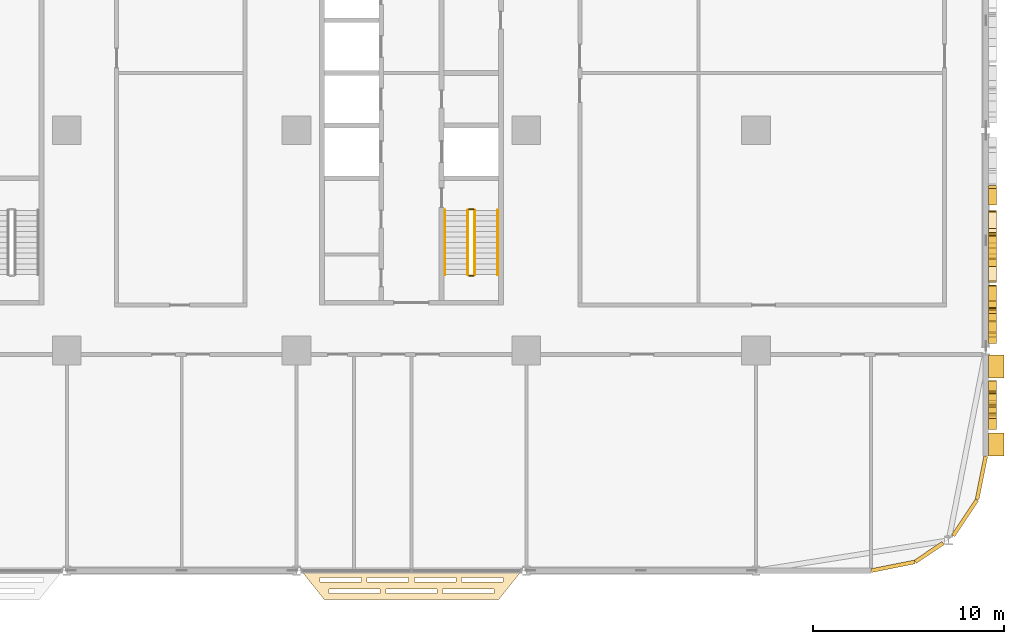
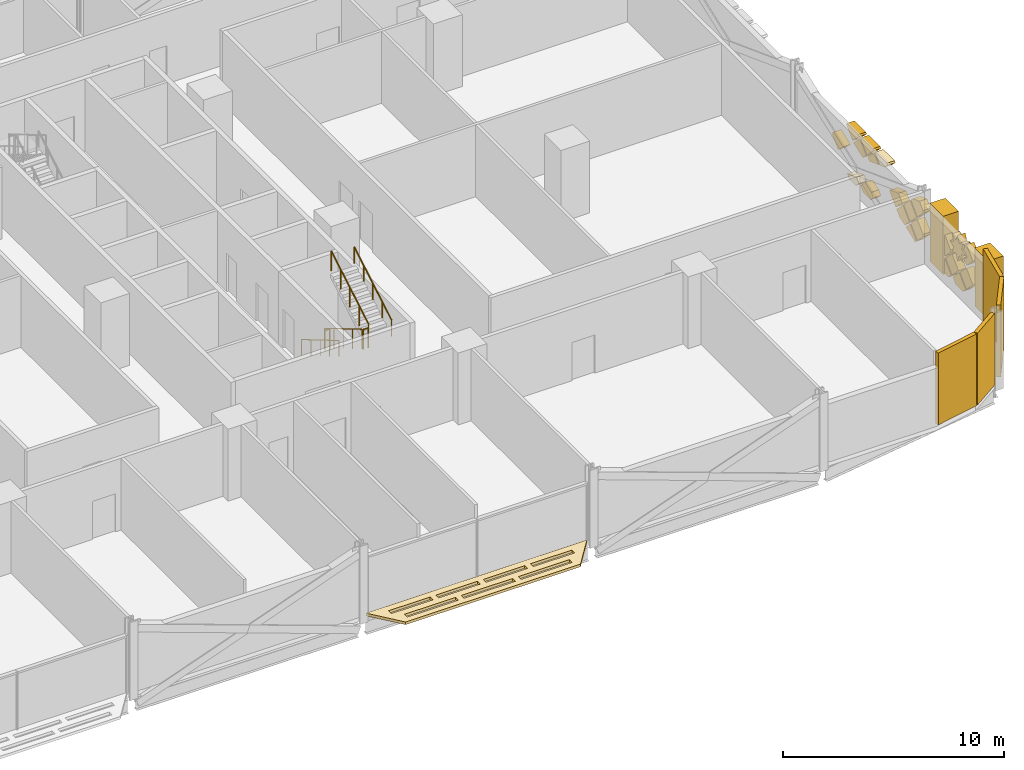
# One storey, part 29 of 30: 28 coverings, 6 railings.
"""IFC4 building model written with IfcOpenShell, lengths in metres."""

from ifc_helpers import new_model, si_unit, direction, frame, origin, origin_2d, place, context, subcontext, project, spatial, polyline, rectangle, circle, outline, extrude, material, layer, layer_set, type_object, element, save


model = new_model("IFC4")

# Units and contexts
model_context = context("Model", 3, precision=1e-05, world=origin(), true_north=direction((0.0, 1.0)))
body_context = subcontext(model_context, "Body", "Model", "MODEL_VIEW")
ifc_project = project(units=[si_unit("LENGTHUNIT", "METRE"), si_unit("AREAUNIT", "SQUARE_METRE"), si_unit("VOLUMEUNIT", "CUBIC_METRE"), si_unit("PLANEANGLEUNIT", "RADIAN"), si_unit("MASSUNIT", "GRAM", prefix="KILO")], contexts=[model_context])

# Site, building, storey
site_placement = place(None, origin())
site = spatial("IfcSite", under=ifc_project, at=site_placement, CompositionType="ELEMENT")
building_placement = place(site_placement, origin())
building = spatial("IfcBuilding", under=site, at=building_placement, Name="Mahtab Terrace Research Tower", CompositionType="ELEMENT")
storey_placement = place(building_placement, frame((0.0, 0.0, 50.300048828125)))
storey = spatial("IfcBuildingStorey", under=building, at=storey_placement, Name="L11", CompositionType="ELEMENT", Elevation=50.300048828125)

# Coverings
ifc_material_1 = material(Name="Black aluminium cladding panel", Category="aluminium")
ifc_layer_1 = layer(ifc_material_1, 0.199951171875)
ifc_layer_set_1 = layer_set([ifc_layer_1], Name="Black metal corner cladding 200")
covering_type_1 = type_object("IfcCoveringType", Name="Black metal corner cladding 200", PredefinedType="CLADDING", material=ifc_layer_set_1)
covering_1_placement = place(storey_placement, frame((49.14794921875, -22.771484375, 0.0), z_axis=(0.0, 0.0, 1.0), x_axis=(0.980760981187, 0.195212442692, 0.0)))
element("IfcCovering", 1, at=covering_1_placement, inside=storey, type_object=covering_type_1, Name="Corner cladding L11 31", PredefinedType="CLADDING", context=body_context, shape_type="SweptSolid", body=[
    extrude(rectangle(XDim=2.30126953125, YDim=0.199951171875, at=origin_2d()), origin(), (0.0, 0.0, 1.0), 3.9599609375),
])
covering_2_placement = place(storey_placement, frame((51.0380859375, -22.047607421875, 0.0), z_axis=(0.0, 0.0, 1.0), x_axis=(0.831655794326, 0.555291490808, 0.0)))
element("IfcCovering", 2, at=covering_2_placement, inside=storey, type_object=covering_type_1, Name="Corner cladding L11 32", PredefinedType="CLADDING", context=body_context, shape_type="SweptSolid", body=[
    extrude(rectangle(XDim=1.74462890625, YDim=0.199951171875, at=origin_2d()), origin(), (0.0, 0.0, 1.0), 3.9599609375),
])
covering_3_placement = place(storey_placement, frame((52.911376953125, -20.2421875, 0.0), z_axis=(0.0, 0.0, 1.0), x_axis=(0.555291490808, 0.831655794326, 0.0)))
element("IfcCovering", 3, at=covering_3_placement, inside=storey, type_object=covering_type_1, Name="Corner cladding L11 33", PredefinedType="CLADDING", context=body_context, shape_type="SweptSolid", body=[
    extrude(rectangle(XDim=2.235595703125, YDim=0.199951171875, at=origin_2d()), origin(), (0.0, 0.0, 1.0), 3.9599609375),
])
covering_4_placement = place(storey_placement, frame((53.771484375, -18.14794921875, 0.0), z_axis=(0.0, 0.0, 1.0), x_axis=(0.195212442692, 0.980760981187, 0.0)))
element("IfcCovering", 4, at=covering_4_placement, inside=storey, type_object=covering_type_1, Name="Corner cladding L11 34", PredefinedType="CLADDING", context=body_context, shape_type="SweptSolid", body=[
    extrude(rectangle(XDim=2.30126953125, YDim=0.199951171875, at=origin_2d()), origin(), (0.0, 0.0, 1.0), 3.9599609375),
])
ifc_material_2 = material(Name="Black anodised aluminium", Category="aluminium")
ifc_layer_2 = layer(ifc_material_2, 0.14990234375)
ifc_layer_set_2 = layer_set([ifc_layer_2], Name="Horizontal sunshade band")
covering_type_2 = type_object("IfcCoveringType", Name="Horizontal sunshade band", PredefinedType="CLADDING", material=ifc_layer_set_2)
covering_5_placement = place(storey_placement, frame((0.0, 0.0, -0.150146484375)))
element("IfcCovering", 5, at=covering_5_placement, inside=storey, type_object=covering_type_2, Name="Sunshade band L11 28", PredefinedType="CLADDING", context=body_context, shape_type="SweptSolid", body=[
    extrude(outline(polyline([(18.238037109375, -23.0), (29.761962890625, -23.0), (28.56201171875, -24.5), (19.43798828125, -24.5), (18.238037109375, -23.0)]), holes=[polyline([(19.218017578125, -23.35009765625), (21.384033203125, -23.35009765625), (21.384033203125, -23.60009765625), (19.218017578125, -23.60009765625), (19.218017578125, -23.35009765625)]), polyline([(21.68408203125, -23.35009765625), (23.85009765625, -23.35009765625), (23.85009765625, -23.60009765625), (21.68408203125, -23.60009765625), (21.68408203125, -23.35009765625)]), polyline([(24.14990234375, -23.35009765625), (26.31591796875, -23.35009765625), (26.31591796875, -23.60009765625), (24.14990234375, -23.60009765625), (24.14990234375, -23.35009765625)]), polyline([(26.615966796875, -23.35009765625), (28.781982421875, -23.35009765625), (28.781982421875, -23.60009765625), (26.615966796875, -23.60009765625), (26.615966796875, -23.35009765625)]), polyline([(19.697998046875, -23.949951171875), (22.365966796875, -23.949951171875), (22.365966796875, -24.199951171875), (19.697998046875, -24.199951171875), (19.697998046875, -23.949951171875)]), polyline([(22.666015625, -23.949951171875), (25.333984375, -23.949951171875), (25.333984375, -24.199951171875), (22.666015625, -24.199951171875), (22.666015625, -23.949951171875)]), polyline([(25.634033203125, -23.949951171875), (28.302001953125, -23.949951171875), (28.302001953125, -24.199951171875), (25.634033203125, -24.199951171875), (25.634033203125, -23.949951171875)])]), origin(), (0.0, 0.0, 1.0), 0.150146484375),
])
ifc_material_3 = material(Name="Bronze anodised aluminium", Category="aluminium")
ifc_layer_3 = layer(ifc_material_3, 0.39990234375)
ifc_layer_set_3 = layer_set([ifc_layer_3], Name="Mashrabiya relief panel 400")
covering_type_3 = type_object("IfcCoveringType", Name="Mashrabiya relief panel 400", PredefinedType="CLADDING", material=ifc_layer_set_3)
covering_6_placement = place(storey_placement, frame((54.14990234375, -14.10498046875, 2.600830078125), z_axis=(-1.0, 0.0, 0.0), x_axis=(0.0, 0.924784909208, 0.380490304346)))
element("IfcCovering", 6, at=covering_6_placement, inside=storey, type_object=covering_type_3, Name="Girih star panel L11 E35.1", PredefinedType="CLADDING", context=body_context, shape_type="SweptSolid", body=[
    extrude(outline(polyline([(0.0, 0.0), (0.3785719822676483, 0.0), (0.11224734785337949, 0.2687322986646593), (0.37970496369230244, 0.5355884707789882), (0.0018902966904386642, 0.5369560467454342), (0.0018902966904386642, 0.9155280290130825), (-0.2670677795399452, 0.6491105014581041), (-0.5339239516542741, 0.916568117297027), (-0.53529152762072, 0.5387534502951633), (-0.9138635098883683, 0.5387534502951632), (-0.64744598233339, 0.2697953740647794), (-0.9149035981723128, 0.0029392019504504985), (-0.5370889311704492, 0.0015716259840045654), (-0.5371818243111587, -0.3767745787179192), (-0.2682237480807748, -0.11035705116294083), (-0.0012746828257363951, -0.3780404445675883), (0.0, 0.0)])), origin(), (0.0, 0.0, -1.0), 0.39990234375),
])
covering_7_placement = place(storey_placement, frame((54.14990234375, -15.050048828125, 1.6298828125), z_axis=(-1.0, 0.0, 0.0), x_axis=(0.0, 0.707255598772, -0.706957932274)))
element("IfcCovering", 7, at=covering_7_placement, inside=storey, type_object=covering_type_3, Name="Mashrabiya lattice cell L11 E35.2", PredefinedType="CLADDING", context=body_context, shape_type="SweptSolid", body=[
    extrude(outline(polyline([(0.0, 0.0), (0.8201817362875763, 0.0), (0.8200090664636573, 0.8203543334390104), (-0.00017259715143413956, 0.8200090664636573), (0.0, 0.0)])), origin(), (0.0, 0.0, -1.0), 0.39990234375),
])
covering_8_placement = place(storey_placement, frame((54.14990234375, -15.050048828125, 1.77001953125), z_axis=(-1.0, 0.0, 0.0), x_axis=(0.0, -0.707106781187, 0.707106781187)))
element("IfcCovering", 8, at=covering_8_placement, inside=storey, type_object=covering_type_3, Name="Mashrabiya lattice cell L11 E35.3", PredefinedType="CLADDING", context=body_context, shape_type="SweptSolid", body=[
    extrude(outline(polyline([(0.0, 0.0), (0.8200090846279543, 0.0), (0.820181718119455, 0.820181718119455), (0.5783221965270836, 0.8203543516109556), (0.5358543576179305, 0.7847918523618275), (0.30055490870258283, 0.6865633956979735), (0.3979201979089337, 0.44763864346111276), (0.3923959261809137, 0.35717869391478685), (0.3421595801542327, 0.29692960538106977), (0.2663734773854597, 0.2750051519604908), (-0.00017263349150062335, 0.37478731004785026), (0.0, 0.0)])), origin(), (0.0, 0.0, -1.0), 0.39990234375),
])
covering_9_placement = place(storey_placement, frame((54.14990234375, -14.97998046875, 0.39990234375), z_axis=(-1.0, 0.0, 0.0), x_axis=(0.0, 0.707106781187, 0.707106781187)))
element("IfcCovering", 9, at=covering_9_placement, inside=storey, type_object=covering_type_3, Name="Mashrabiya lattice cell L11 E35.4", PredefinedType="CLADDING", context=body_context, shape_type="SweptSolid", body=[
    extrude(outline(polyline([(0.0, 0.0), (0.8203543516109556, 0.0), (0.820181718119455, 0.820181718119455), (0.44556704156310534, 0.820181718119455), (0.0, 0.37461467655634967), (0.0, 0.0)])), origin(), (0.0, 0.0, -1.0), 0.39990234375),
])
covering_10_placement = place(storey_placement, frame((54.14990234375, -13.169921875, 1.050048828125), z_axis=(-1.0, 0.0, 0.0), x_axis=(0.0, -0.707106781187, -0.707106781187)))
element("IfcCovering", 10, at=covering_10_placement, inside=storey, type_object=covering_type_3, Name="Mashrabiya lattice cell L11 E35.5", PredefinedType="CLADDING", context=body_context, shape_type="SweptSolid", body=[
    extrude(outline(polyline([(0.0, 0.0), (0.8203543516109556, 0.0), (0.8203543516109556, 0.8203543516109556), (0.0143285797945516, 0.820181718119455), (0.0001726334915005956, 0.8074068397484089), (0.0, 0.0)])), origin(), (0.0, 0.0, -1.0), 0.39990234375),
])
covering_11_placement = place(storey_placement, frame((54.14990234375, -13.679931640625, 0.39990234375), z_axis=(-1.0, 0.0, 0.0), x_axis=(0.0, 0.706957932274, 0.707255598772)))
element("IfcCovering", 11, at=covering_11_placement, inside=storey, type_object=covering_type_3, Name="Mashrabiya lattice cell L11 E35.6", PredefinedType="CLADDING", context=body_context, shape_type="SweptSolid", body=[
    extrude(outline(polyline([(0.0, 0.0), (0.8201817362875763, 0.0), (0.8201736696417619, 0.03832463426419619), (0.24172975951322367, 0.6165250915686062), (-7.884964602361544e-05, 0.374614668258134), (0.0, 0.0)])), origin(), (0.0, 0.0, -1.0), 0.39990234375),
])
covering_12_placement = place(storey_placement, frame((54.14990234375, -13.10009765625, 1.119873046875), z_axis=(-1.0, 0.0, 0.0), x_axis=(0.0, -0.70694980333, 0.707263724202)))
element("IfcCovering", 12, at=covering_12_placement, inside=storey, type_object=covering_type_3, Name="Mashrabiya lattice cell L11 E35.7", PredefinedType="CLADDING", context=body_context, shape_type="SweptSolid", body=[
    extrude(outline(polyline([(0.0, 0.0), (0.7777138983705116, 0.0), (0.8203731850463412, 0.08475357709506004), (0.8205364300309524, 0.8201722327695096), (0.7822117958620023, 0.8201807399025104), (8.50713300087555e-06, 0.038324634168950183), (0.0, 0.0)])), origin(), (0.0, 0.0, -1.0), 0.39990234375),
])
covering_13_placement = place(storey_placement, frame((54.14990234375, -10.612060546875, 1.6298828125), z_axis=(-1.0, 0.0, 0.0), x_axis=(0.0, 0.707255598772, -0.706957932274)))
element("IfcCovering", 13, at=covering_13_placement, inside=storey, type_object=covering_type_3, Name="Mashrabiya lattice cell L11 E36.1", PredefinedType="CLADDING", context=body_context, shape_type="SweptSolid", body=[
    extrude(outline(polyline([(0.0, 0.0), (0.8201817362875763, 0.0), (0.8200090664636573, 0.8203543334390104), (0.09184101544392964, 0.8202010671685369), (-0.0001532662704735177, 0.7281680510197277), (0.0, 0.0)])), origin(), (0.0, 0.0, -1.0), 0.39990234375),
])
covering_14_placement = place(storey_placement, frame((54.14990234375, -10.031982421875, 2.349853515625), z_axis=(-1.0, 0.0, 0.0), x_axis=(0.0, -0.707255598772, -0.706957932274)))
element("IfcCovering", 14, at=covering_14_placement, inside=storey, type_object=covering_type_3, Name="Mashrabiya lattice cell L11 E36.2", PredefinedType="CLADDING", context=body_context, shape_type="SweptSolid", body=[
    extrude(outline(polyline([(0.0, 0.0), (0.8201817362875763, 0.0), (0.8203350025580498, 0.7281680510197277), (0.7283407208436468, 0.8202010671685369), (0.2632661050429956, 0.8202989570055819), (5.15247917333983e-05, 0.24479428552536128), (0.0, 0.0)])), origin(), (0.0, 0.0, -1.0), 0.39990234375),
])
covering_15_placement = place(storey_placement, frame((54.14990234375, -10.5419921875, 0.39990234375), z_axis=(-1.0, 0.0, 0.0), x_axis=(0.0, 0.707106781187, 0.707106781187)))
element("IfcCovering", 15, at=covering_15_placement, inside=storey, type_object=covering_type_3, Name="Mashrabiya lattice cell L11 E36.3", PredefinedType="CLADDING", context=body_context, shape_type="SweptSolid", body=[
    extrude(outline(polyline([(0.0, 0.0), (0.8203543516109556, 0.0), (0.8203543516109556, 0.5641662502240327), (0.0, 0.1909326415996879), (0.0, 0.0)])), origin(), (0.0, 0.0, -1.0), 0.39990234375),
])
covering_16_placement = place(storey_placement, frame((54.14990234375, -9.9619140625, 2.280029296875), z_axis=(-1.0, 0.0, 0.0), x_axis=(0.0, 0.706957932274, -0.707255598772)))
element("IfcCovering", 16, at=covering_16_placement, inside=storey, type_object=covering_type_3, Name="Mashrabiya lattice cell L11 E36.4", PredefinedType="CLADDING", context=body_context, shape_type="SweptSolid", body=[
    extrude(outline(polyline([(0.0, 0.0), (0.8201817362875763, 0.0), (0.8205270032629295, 0.8201816636150915), (0.00017266982391900276, 0.8203543334390104), (0.0, 0.0)])), origin(), (0.0, 0.0, -1.0), 0.39990234375),
])
covering_17_placement = place(storey_placement, frame((54.14990234375, -9.89208984375, 1.050048828125), z_axis=(-1.0, 0.0, 0.0), x_axis=(0.0, 0.707255598772, 0.706957932274)))
element("IfcCovering", 17, at=covering_17_placement, inside=storey, type_object=covering_type_3, Name="Mashrabiya lattice cell L11 E36.5", PredefinedType="CLADDING", context=body_context, shape_type="SweptSolid", body=[
    extrude(outline(polyline([(0.0, 0.0), (0.8201817362875763, 0.0), (0.8205270032629295, 0.8201816636150915), (0.4611040819203327, 0.8202573156717833), (0.00012833960818220413, 0.6097414784736079), (0.0, 0.0)])), origin(), (0.0, 0.0, -1.0), 0.39990234375),
])
covering_18_placement = place(storey_placement, frame((54.14990234375, -8.08203125, 1.699951171875), z_axis=(-1.0, 0.0, 0.0), x_axis=(0.0, -0.707106781187, -0.707106781187)))
element("IfcCovering", 18, at=covering_18_placement, inside=storey, type_object=covering_type_3, Name="Mashrabiya lattice cell L11 E36.6", PredefinedType="CLADDING", context=body_context, shape_type="SweptSolid", body=[
    extrude(outline(polyline([(0.0, 0.0), (0.8203543516109556, 0.0), (0.820181718119455, 0.820181718119455), (0.3437132815777383, 0.820181718119455), (0.0, 0.06491019280423387), (0.0, 0.0)])), origin(), (0.0, 0.0, -1.0), 0.39990234375),
])
covering_19_placement = place(storey_placement, frame((54.14990234375, -7.94189453125, 3.0), z_axis=(-1.0, 0.0, 0.0), x_axis=(0.0, 0.707106781187, 0.707106781187)))
element("IfcCovering", 19, at=covering_19_placement, inside=storey, type_object=covering_type_3, Name="Mashrabiya lattice cell L11 E36.7", PredefinedType="CLADDING", context=body_context, shape_type="SweptSolid", body=[
    extrude(outline(polyline([(0.0, 0.0), (0.09598422127434582, 0.0), (0.8200090846279543, 0.7240248633536085), (0.820181718119455, 0.820181718119455), (0.1935221439721972, 0.8201817181194548), (-0.00017263349150062335, 0.3930864601469162), (0.0, 0.0)])), origin(), (0.0, 0.0, -1.0), 0.39990234375),
])
covering_20_placement = place(storey_placement, frame((54.14990234375, -6.7119140625, 2.929931640625), z_axis=(-1.0, 0.0, 0.0), x_axis=(0.0, 0.706957932274, -0.707255598772)))
element("IfcCovering", 20, at=covering_20_placement, inside=storey, type_object=covering_type_3, Name="Mashrabiya lattice cell L11 E36.8", PredefinedType="CLADDING", context=body_context, shape_type="SweptSolid", body=[
    extrude(outline(polyline([(0.0, 0.0), (0.8201817362875763, 0.0), (0.8202251944334953, 0.20646965126116512), (-5.0289359491528796e-05, 0.581256989343218), (0.0, 0.0)])), origin(), (0.0, 0.0, -1.0), 0.39990234375),
])
covering_21_placement = place(storey_placement, frame((54.14990234375, -6.64208984375, 0.39990234375), z_axis=(-1.0, 0.0, 0.0), x_axis=(0.0, 0.707106781187, 0.707106781187)))
element("IfcCovering", 21, at=covering_21_placement, inside=storey, type_object=covering_type_3, Name="Mashrabiya lattice cell L11 E36.9", PredefinedType="CLADDING", context=body_context, shape_type="SweptSolid", body=[
    extrude(outline(polyline([(0.0, 0.0), (0.27863045528200386, 0.0), (0.8203543516109555, 0.2461753588798869), (0.8203543516109556, 0.8203543516109556), (0.44556704156310534, 0.820181718119455), (0.00017263349150062335, 0.37478731004785026), (0.0, 0.0)])), origin(), (0.0, 0.0, -1.0), 0.39990234375),
])
covering_22_placement = place(storey_placement, frame((54.14990234375, -5.48193359375, 3.0), z_axis=(-1.0, 0.0, 0.0), x_axis=(0.0, -0.707106781187, -0.707106781187)))
element("IfcCovering", 22, at=covering_22_placement, inside=storey, type_object=covering_type_3, Name="Mashrabiya lattice cell L11 E36.10", PredefinedType="CLADDING", context=body_context, shape_type="SweptSolid", body=[
    extrude(outline(polyline([(0.0, 0.0), (0.8203543516109556, 0.0), (0.8203543516109556, 0.8203543516109556), (0.7241974968451091, 0.820181718119455), (0.0001726334915006164, 0.09615685476584643), (0.0, 0.0)])), origin(), (0.0, 0.0, -1.0), 0.39990234375),
])
covering_23_placement = place(storey_placement, frame((54.14990234375, -5.991943359375, 2.349853515625), z_axis=(-1.0, 0.0, 0.0), x_axis=(0.0, 0.706957932274, 0.707255598772)))
element("IfcCovering", 23, at=covering_23_placement, inside=storey, type_object=covering_type_3, Name="Mashrabiya lattice cell L11 E36.11", PredefinedType="CLADDING", context=body_context, shape_type="SweptSolid", body=[
    extrude(outline(polyline([(0.0, 0.0), (0.8201817362875763, 0.0), (0.8200090664636573, 0.8203543334390104), (-9.403819534983815e-05, 0.44677546610693586), (0.0, 0.0)])), origin(), (0.0, 0.0, -1.0), 0.39990234375),
])
covering_24_placement = place(storey_placement, frame((54.14990234375, -5.342041015625, 0.39990234375), z_axis=(-1.0, 0.0, 0.0), x_axis=(0.0, 0.706717940592, 0.707495408074)))
element("IfcCovering", 24, at=covering_24_placement, inside=storey, type_object=covering_type_3, Name="Mashrabiya lattice cell L11 E36.12", PredefinedType="CLADDING", context=body_context, shape_type="SweptSolid", body=[
    extrude(outline(polyline([(0.0, 0.0), (0.31402036849248416, 2.7755575615628914e-17), (0.6869754673968865, 0.8207321421350641), (0.44511607725855706, 0.8204265457861742), (-3.3406805841407206e-05, 0.3747873483179644), (0.0, 0.0)])), origin(), (0.0, 0.0, -1.0), 0.39990234375),
])
covering_25_placement = place(storey_placement, frame((54.14990234375, -4.181884765625, 3.0), z_axis=(-1.0, 0.0, 0.0), x_axis=(0.0, -0.707106781187, -0.707106781187)))
element("IfcCovering", 25, at=covering_25_placement, inside=storey, type_object=covering_type_3, Name="Mashrabiya lattice cell L11 E36.13", PredefinedType="CLADDING", context=body_context, shape_type="SweptSolid", body=[
    extrude(outline(polyline([(0.0, 0.0), (0.8203543516109556, 0.0), (0.8203543516109556, 0.8203543516109556), (0.7241974968451091, 0.820181718119455), (0.0001726334915006164, 0.09615685476584643), (0.0, 0.0)])), origin(), (0.0, 0.0, -1.0), 0.39990234375),
])
covering_26_placement = place(storey_placement, frame((54.14990234375, -3.89306640625, 1.551025390625), z_axis=(-1.0, 0.0, 0.0), x_axis=(0.0, 0.936540541173, 0.350559288481)))
element("IfcCovering", 26, at=covering_26_placement, inside=storey, type_object=covering_type_3, Name="Mashrabiya lattice cell L11 E36.14", PredefinedType="CLADDING", context=body_context, shape_type="SweptSolid", body=[
    extrude(outline(polyline([(0.0, 0.0), (0.9011827075507265, -5.551115123125783e-17), (0.9990369987717644, 0.2149356160846745), (0.2809281926081486, 0.54206054356088), (0.22389176280836892, 0.4917752034685902), (0.0, 0.0)])), origin(), (0.0, 0.0, -1.0), 0.39990234375),
])
ifc_material_4 = material(Name="Glazed ceramic tile cladding", Category="masonry")
ifc_layer_4 = layer(ifc_material_4, 0.800048828125)
ifc_layer_set_4 = layer_set([ifc_layer_4], Name="Pishtaq frame pier 800")
covering_type_4 = type_object("IfcCoveringType", Name="Pishtaq frame pier 800", PredefinedType="CLADDING", material=ifc_layer_set_4)
for number, where, z_axis, x_axis, name in (
    (27, (54.550048828125, -16.39990234375, 0.00048828125), (0.0, 0.0, 1.0), (0.0, 1.0, 0.0), "Pishtaq frame pier 35a"),
    (28, (54.550048828125, -12.337890625, 0.00048828125), (0.0, 0.0, 1.0), (0.0, 1.0, 0.0), "Pishtaq frame pier 35b"),
):
    element("IfcCovering", number, at=place(storey_placement, frame(where, z_axis=z_axis, x_axis=x_axis)), inside=storey, type_object=covering_type_4, Name=name, PredefinedType="CLADDING", context=body_context, shape_type="SweptSolid", body=[
        extrude(rectangle(XDim=1.199951171875, YDim=0.800048828125, at=origin_2d()), origin(), (0.0, 0.0, 1.0), 3.202880859375),
    ])

# Railings
ifc_material_5 = material(Name="Stainless steel AISI 304", Category="steel")
railing_type_1 = type_object("IfcRailingType", Name="Stair guard 1100", PredefinedType="GUARDRAIL", material=ifc_material_5)
railing_1_placement = place(storey_placement, frame((26.949951171875, -4.175048828125, 0.165283203125)))
element("IfcRailing", 29, at=railing_1_placement, inside=storey, type_object=railing_type_1, Name="L11 ST4 stair guard 1", PredefinedType="GUARDRAIL", context=body_context, shape_type="SweptSolid", body=[
    extrude(circle(Radius=0.02392578125, at=origin_2d()), frame((0.0, 0.0, 1.076171875), z_axis=(0.0, -0.861011212953, 0.508585972249), x_axis=(1.0, 0.0, 0.0)), (0.0, 0.0, 1.0), 3.90234375),
    extrude(circle(Radius=0.02099609375, at=origin_2d()), origin(), (0.0, 0.0, 1.0), 1.052001953125),
    extrude(circle(Radius=0.02099609375, at=origin_2d()), frame((0.0, -0.83984375, 0.49609375)), (0.0, 0.0, 1.0), 1.052001953125),
    extrude(circle(Radius=0.02099609375, at=origin_2d()), frame((0.0, -1.679931640625, 0.9921875)), (0.0, 0.0, 1.0), 1.052001953125),
    extrude(circle(Radius=0.02099609375, at=origin_2d()), frame((0.0, -2.52001953125, 1.488525390625)), (0.0, 0.0, 1.0), 1.052001953125),
    extrude(circle(Radius=0.02099609375, at=origin_2d()), frame((0.0, -3.35986328125, 1.984619140625)), (0.0, 0.0, 1.0), 1.052001953125),
])
railing_2_placement = place(storey_placement, frame((27.0, -7.5849609375, 2.14990234375)))
element("IfcRailing", 30, at=railing_2_placement, inside=storey, type_object=railing_type_1, Name="L11 ST4 stair guard 2", PredefinedType="GUARDRAIL", context=body_context, shape_type="SweptSolid", body=[
    extrude(circle(Radius=0.02392578125, at=origin_2d()), frame((0.0, 0.0, 1.076171875), z_axis=(1.0, 0.0, 0.0), x_axis=(0.0, 1.0, 0.0)), (0.0, 0.0, 1.0), 0.25),
    extrude(circle(Radius=0.02099609375, at=origin_2d()), origin(), (0.0, 0.0, 1.0), 1.052001953125),
    extrude(circle(Radius=0.02099609375, at=origin_2d()), frame((0.25, 0.0, 0.0)), (0.0, 0.0, 1.0), 1.052001953125),
])
railing_3_placement = place(storey_placement, frame((27.300048828125, -7.534912109375, 2.3154296875)))
element("IfcRailing", 31, at=railing_3_placement, inside=storey, type_object=railing_type_1, Name="L11 ST4 stair guard 3", PredefinedType="GUARDRAIL", context=body_context, shape_type="SweptSolid", body=[
    extrude(circle(Radius=0.02392578125, at=origin_2d()), frame((0.0, 0.0, 1.076171875), z_axis=(0.0, 0.861011212953, 0.508585972249), x_axis=(-1.0, 0.0, 0.0)), (0.0, 0.0, 1.0), 3.90234375),
    extrude(circle(Radius=0.02099609375, at=origin_2d()), origin(), (0.0, 0.0, 1.0), 1.052001953125),
    extrude(circle(Radius=0.02099609375, at=origin_2d()), frame((0.0, 0.83984375, 0.49609375)), (0.0, 0.0, 1.0), 1.052001953125),
    extrude(circle(Radius=0.02099609375, at=origin_2d()), frame((0.0, 1.679931640625, 0.9921875)), (0.0, 0.0, 1.0), 1.052001953125),
    extrude(circle(Radius=0.02099609375, at=origin_2d()), frame((0.0, 2.52001953125, 1.488525390625)), (0.0, 0.0, 1.0), 1.052001953125),
    extrude(circle(Radius=0.02099609375, at=origin_2d()), frame((0.0, 3.35986328125, 1.984619140625)), (0.0, 0.0, 1.0), 1.052001953125),
])
railing_4_placement = place(storey_placement, frame((27.0, -4.125, 0.0)))
element("IfcRailing", 32, at=railing_4_placement, inside=storey, type_object=railing_type_1, Name="L11 ST4 stair guard 4", PredefinedType="GUARDRAIL", context=body_context, shape_type="SweptSolid", body=[
    extrude(circle(Radius=0.02392578125, at=origin_2d()), frame((0.0, 0.0, 1.076171875), z_axis=(1.0, 0.0, 0.0), x_axis=(0.0, 1.0, 0.0)), (0.0, 0.0, 1.0), 0.25),
    extrude(circle(Radius=0.02099609375, at=origin_2d()), origin(), (0.0, 0.0, 1.0), 1.052001953125),
    extrude(circle(Radius=0.02099609375, at=origin_2d()), frame((0.25, 0.0, 0.0)), (0.0, 0.0, 1.0), 1.052001953125),
])
railing_type_2 = type_object("IfcRailingType", Name="Stair handrail 900", PredefinedType="HANDRAIL", material=ifc_material_5)
railing_5_placement = place(storey_placement, frame((25.75, -4.175048828125, 0.165283203125)))
element("IfcRailing", 33, at=railing_5_placement, inside=storey, type_object=railing_type_2, Name="L11 ST4 stair handrail 1", PredefinedType="HANDRAIL", context=body_context, shape_type="SweptSolid", body=[
    extrude(circle(Radius=0.02392578125, at=origin_2d()), frame((0.0, 0.0, 0.8759765625), z_axis=(0.0, -0.861011212953, 0.508585972249), x_axis=(1.0, 0.0, 0.0)), (0.0, 0.0, 1.0), 3.90234375),
    extrude(circle(Radius=0.02099609375, at=origin_2d()), origin(), (0.0, 0.0, 1.0), 0.851806640625),
    extrude(circle(Radius=0.02099609375, at=origin_2d()), frame((0.0, -0.83984375, 0.49609375)), (0.0, 0.0, 1.0), 0.851806640625),
    extrude(circle(Radius=0.02099609375, at=origin_2d()), frame((0.0, -1.679931640625, 0.9921875)), (0.0, 0.0, 1.0), 0.851806640625),
    extrude(circle(Radius=0.02099609375, at=origin_2d()), frame((0.0, -2.52001953125, 1.488525390625)), (0.0, 0.0, 1.0), 0.851806640625),
    extrude(circle(Radius=0.02099609375, at=origin_2d()), frame((0.0, -3.35986328125, 1.984619140625)), (0.0, 0.0, 1.0), 0.851806640625),
])
railing_6_placement = place(storey_placement, frame((28.5, -7.534912109375, 2.3154296875)))
element("IfcRailing", 34, at=railing_6_placement, inside=storey, type_object=railing_type_2, Name="L11 ST4 stair handrail 2", PredefinedType="HANDRAIL", context=body_context, shape_type="SweptSolid", body=[
    extrude(circle(Radius=0.02392578125, at=origin_2d()), frame((0.0, 0.0, 0.8759765625), z_axis=(0.0, 0.861011212953, 0.508585972249), x_axis=(-1.0, 0.0, 0.0)), (0.0, 0.0, 1.0), 3.90234375),
    extrude(circle(Radius=0.02099609375, at=origin_2d()), origin(), (0.0, 0.0, 1.0), 0.851806640625),
    extrude(circle(Radius=0.02099609375, at=origin_2d()), frame((0.0, 0.83984375, 0.49609375)), (0.0, 0.0, 1.0), 0.851806640625),
    extrude(circle(Radius=0.02099609375, at=origin_2d()), frame((0.0, 1.679931640625, 0.9921875)), (0.0, 0.0, 1.0), 0.851806640625),
    extrude(circle(Radius=0.02099609375, at=origin_2d()), frame((0.0, 2.52001953125, 1.488525390625)), (0.0, 0.0, 1.0), 0.851806640625),
    extrude(circle(Radius=0.02099609375, at=origin_2d()), frame((0.0, 3.35986328125, 1.984619140625)), (0.0, 0.0, 1.0), 0.851806640625),
])

save(model, "model.ifc")
